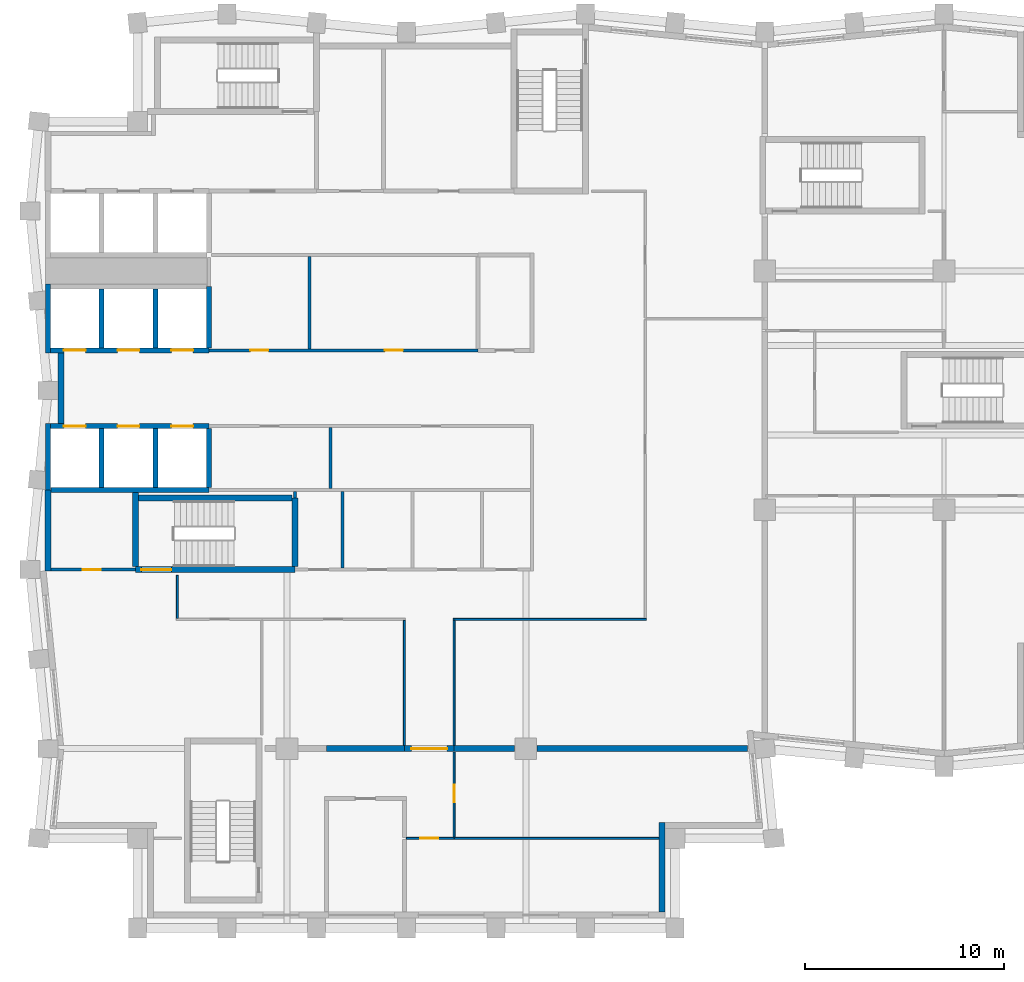
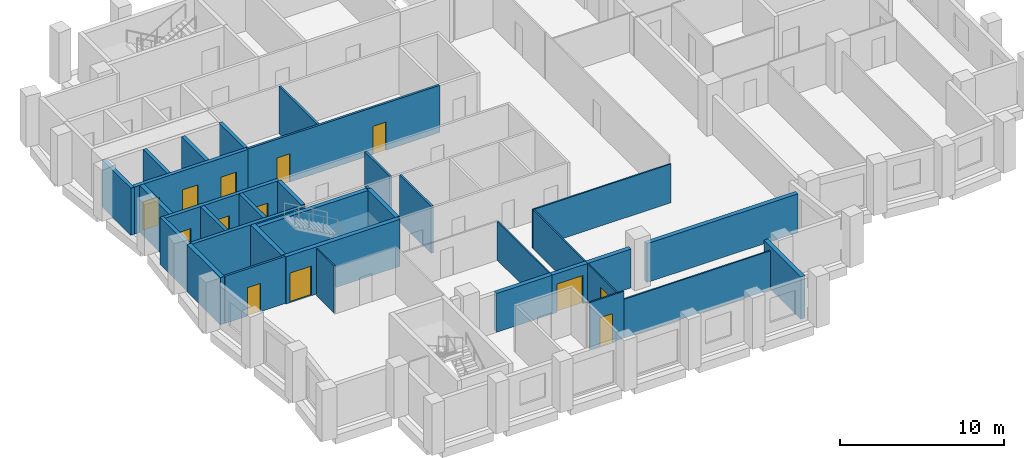
# One storey, part 3 of 8: 35 walls, 13 doors, 13 openings.
"""IFC4 building model written with IfcOpenShell, lengths in metres."""

from ifc_helpers import new_model, si_unit, direction, frame, frame_2d, origin, place, context, subcontext, project, spatial, rectangle, extrude, material, layer, layer_set, type_object, element, fill, save


model = new_model("IFC4")

# Units and contexts
model_context = context("Model", 3, precision=1e-05, world=origin(), true_north=direction((0.0, 1.0)))
body_context = subcontext(model_context, "Body", "Model", "MODEL_VIEW")
ifc_project = project(units=[si_unit("LENGTHUNIT", "METRE"), si_unit("AREAUNIT", "SQUARE_METRE"), si_unit("VOLUMEUNIT", "CUBIC_METRE"), si_unit("PLANEANGLEUNIT", "RADIAN"), si_unit("MASSUNIT", "GRAM", prefix="KILO")], contexts=[model_context])

# Site, building, storey
site_placement = place(None, origin())
site = spatial("IfcSite", under=ifc_project, at=site_placement, CompositionType="ELEMENT")
building_placement = place(site_placement, origin())
building = spatial("IfcBuilding", under=site, at=building_placement, Name="Brondeck Convention Tower", CompositionType="ELEMENT")
storey_placement = place(building_placement, frame((0.0, 0.0, 225.39990234375)))
storey = spatial("IfcBuildingStorey", under=building, at=storey_placement, Name="L55", CompositionType="ELEMENT", Elevation=225.39990234375)

# Wall
ifc_material_1 = material(Name="Concrete compartment wall C30/37", Category="concrete")
ifc_layer_1 = layer(ifc_material_1, 0.300048828125)
ifc_layer_set_1 = layer_set([ifc_layer_1], Name="Compartment wall 300")
wall_type_1 = type_object("IfcWallType", Name="Compartment wall 300", PredefinedType="PARTITIONING", material=ifc_layer_set_1)
wall_1_placement = place(storey_placement, frame((14.0, 27.0, 0.0), z_axis=(0.0, 0.0, 1.0), x_axis=(1.0, 0.0, 0.0)))
element("IfcWall", 1, at=wall_1_placement, inside=storey, type_object=wall_type_1, Name="FLR-L55-W015", PredefinedType="PARTITIONING", context=body_context, shape_type="SweptSolid", body=[
    extrude(rectangle(XDim=3.89990234375, YDim=0.300048828125, at=frame_2d((1.949951171875, 0.0))), origin(), (0.0, 0.0, 1.0), 2.880126953125),
])

# Wall, opening, door
wall_2_placement = place(storey_placement, frame((20.39990234375, 27.0, 0.0), z_axis=(0.0, 0.0, 1.0), x_axis=(-1.0, 0.0, 0.0)))
wall_2 = element("IfcWall", 2, at=wall_2_placement, inside=storey, type_object=wall_type_1, Name="FLR-L55-W016", PredefinedType="PARTITIONING", context=body_context, shape_type="SweptSolid", body=[
    extrude(rectangle(XDim=2.5, YDim=0.300048828125, at=frame_2d((1.25, 0.0))), origin(), (0.0, 0.0, 1.0), 2.880126953125),
])
opening_1_placement = place(wall_2_placement, frame((0.35009765625, 0.0, 0.0)))
opening_1 = element("IfcOpeningElement", 3, at=opening_1_placement, cuts=wall_2, Name="Opening OF-M-015", PredefinedType="OPENING", context=body_context, shape_type="SweptSolid", body=[
    extrude(rectangle(XDim=1.800048828125, YDim=2.10009765625, at=frame_2d((0.89990234375, 1.050048828125))), frame((0.0, 0.159912109375, 0.0), z_axis=(0.0, -1.0, 0.0), x_axis=(1.0, 0.0, 0.0)), (0.0, 0.0, 1.0), 0.320068359375),
])
ifc_material_2 = material(Name="Steel fire door pair", Category="steel")
door_type_1 = type_object("IfcDoorType", Name="Fire door pair 1800", OperationType="DOUBLE_DOOR_SINGLE_SWING", PredefinedType="DOOR", material=ifc_material_2)
door_1_placement = place(opening_1_placement, origin())
door_1 = element("IfcDoor", 4, at=door_1_placement, inside=storey, type_object=door_type_1, Name="Door OF-M-015", OperationType="DOUBLE_DOOR_SINGLE_SWING", OverallHeight=2.10009765625, OverallWidth=1.800048828125, PredefinedType="DOOR", context=body_context, shape_type="SweptSolid", body=[
    extrude(rectangle(XDim=1.800048828125, YDim=2.10009765625, at=frame_2d((0.89990234375, 1.050048828125))), frame((0.0, 0.02490234375, 0.0), z_axis=(0.0, -1.0, 0.0), x_axis=(1.0, 0.0, 0.0)), (0.0, 0.0, 1.0), 0.050048828125),
])
fill(opening_1, door_1)

# Walls
wall_3_placement = place(storey_placement, frame((20.39990234375, 27.0, 0.0), z_axis=(0.0, 0.0, 1.0), x_axis=(1.0, 0.0, 0.0)))
element("IfcWall", 5, at=wall_3_placement, inside=storey, type_object=wall_type_1, Name="FLR-L55-W017", PredefinedType="PARTITIONING", context=body_context, shape_type="SweptSolid", body=[
    extrude(rectangle(XDim=3.045166015625, YDim=0.300048828125, at=frame_2d((1.5224609375, 0.0))), origin(), (0.0, 0.0, 1.0), 2.880126953125),
])
wall_4_placement = place(storey_placement, frame((24.554931640625, 27.0, 0.0), z_axis=(0.0, 0.0, 1.0), x_axis=(1.0, 0.0, 0.0)))
element("IfcWall", 6, at=wall_4_placement, inside=storey, type_object=wall_type_1, Name="FLR-L55-W018", PredefinedType="PARTITIONING", context=body_context, shape_type="SweptSolid", body=[
    extrude(rectangle(XDim=10.591064453125, YDim=0.300048828125, at=frame_2d((5.29541015625, 0.0))), origin(), (0.0, 0.0, 1.0), 2.880126953125),
])
ifc_material_3 = material(Name="Concrete C50/60", Category="concrete")
ifc_layer_2 = layer(ifc_material_3, 0.300048828125)
ifc_layer_set_2 = layer_set([ifc_layer_2], Name="Core outer wall 300 Concrete C50/60")
wall_type_2 = type_object("IfcWallType", Name="Core outer wall 300 Concrete C50/60", PredefinedType="SHEAR", material=ifc_layer_set_2)
wall_5_placement = place(storey_placement, frame((0.0, 35.925048828125, 0.0), z_axis=(0.0, 0.0, 1.0), x_axis=(0.0, 1.0, 0.0)))
element("IfcWall", 7, at=wall_5_placement, inside=storey, type_object=wall_type_2, Name="L55 core wall", PredefinedType="SHEAR", context=body_context, shape_type="SweptSolid", body=[
    extrude(rectangle(XDim=4.074951171875, YDim=0.300048828125, at=frame_2d((2.03759765625, 0.0))), origin(), (0.0, 0.0, 1.0), 3.5),
])
wall_6_placement = place(storey_placement, frame((0.64990234375, 43.324951171875, 0.0), z_axis=(0.0, 0.0, 1.0), x_axis=(0.0, 1.0, 0.0)))
element("IfcWall", 8, at=wall_6_placement, inside=storey, type_object=wall_type_2, Name="L55 core wall", PredefinedType="SHEAR", context=body_context, shape_type="SweptSolid", body=[
    extrude(rectangle(XDim=3.550048828125, YDim=0.300048828125, at=frame_2d((1.77490234375, 0.0))), origin(), (0.0, 0.0, 1.0), 3.5),
])

# Wall, opening, door
ifc_material_4 = material(Name="Fire-rated gypsum board partition")
ifc_layer_3 = layer(ifc_material_4, 0.14990234375)
ifc_layer_set_3 = layer_set([ifc_layer_3], Name="Core partition 150 EI 60")
wall_type_3 = type_object("IfcWallType", Name="Core partition 150 EI 60", PredefinedType="PARTITIONING", material=ifc_layer_set_3)
wall_7_placement = place(storey_placement, frame((0.14990234375, 36.0, 0.0), z_axis=(0.0, 0.0, 1.0), x_axis=(1.0, 0.0, 0.0)))
wall_7 = element("IfcWall", 9, at=wall_7_placement, inside=storey, type_object=wall_type_3, Name="L55 core wall", PredefinedType="PARTITIONING", context=body_context, shape_type="SweptSolid", body=[
    extrude(rectangle(XDim=4.25, YDim=0.14990234375, at=frame_2d((2.125, 0.0))), origin(), (0.0, 0.0, 1.0), 3.5),
])
opening_2_placement = place(wall_7_placement, frame((1.60009765625, 0.0, 0.0)))
opening_2 = element("IfcOpeningElement", 10, at=opening_2_placement, cuts=wall_7, Name="Opening C30-07", PredefinedType="OPENING", context=body_context, shape_type="SweptSolid", body=[
    extrude(rectangle(XDim=0.89990234375, YDim=2.10009765625, at=frame_2d((0.449951171875, 1.050048828125))), frame((0.0, 0.0849609375, 0.0), z_axis=(0.0, -1.0, 0.0), x_axis=(1.0, 0.0, 0.0)), (0.0, 0.0, 1.0), 0.169921875),
])
ifc_material_5 = material(Name="Steel fire door", Category="steel")
door_type_2 = type_object("IfcDoorType", Name="Room door 900x2100 EI 60", OperationType="NOTDEFINED", PredefinedType="DOOR", material=ifc_material_5)
door_2_placement = place(opening_2_placement, origin())
door_2 = element("IfcDoor", 11, at=door_2_placement, inside=storey, type_object=door_type_2, Name="L55 Room door FRW-1", OperationType="SINGLE_SWING_LEFT", OverallHeight=2.10009765625, OverallWidth=0.89990234375, PredefinedType="DOOR", context=body_context, shape_type="SweptSolid", body=[
    extrude(rectangle(XDim=0.89990234375, YDim=2.10009765625, at=frame_2d((0.449951171875, 1.050048828125))), frame((0.0, 0.02490234375, 0.0), z_axis=(0.0, -1.0, 0.0), x_axis=(1.0, 0.0, 0.0)), (0.0, 0.0, 1.0), 0.050048828125),
])
fill(opening_2, door_2)

# Wall, openings, doors
wall_8_placement = place(storey_placement, frame((8.10009765625, 47.0, 0.0), z_axis=(0.0, 0.0, 1.0), x_axis=(1.0, 0.0, 0.0)))
wall_8 = element("IfcWall", 12, at=wall_8_placement, inside=storey, type_object=wall_type_3, Name="L55 core wall", PredefinedType="PARTITIONING", context=body_context, shape_type="SweptSolid", body=[
    extrude(rectangle(XDim=13.5, YDim=0.14990234375, at=frame_2d((6.75, 0.0))), origin(), (0.0, 0.0, 1.0), 3.5),
])
opening_3_placement = place(wall_8_placement, frame((2.074951171875, 0.0, 0.0)))
opening_3 = element("IfcOpeningElement", 13, at=opening_3_placement, cuts=wall_8, Name="Opening C30-08", PredefinedType="OPENING", context=body_context, shape_type="SweptSolid", body=[
    extrude(rectangle(XDim=0.89990234375, YDim=2.10009765625, at=frame_2d((0.449951171875, 1.050048828125))), frame((0.0, 0.0849609375, 0.0), z_axis=(0.0, -1.0, 0.0), x_axis=(1.0, 0.0, 0.0)), (0.0, 0.0, 1.0), 0.169921875),
])
opening_4_placement = place(wall_8_placement, frame((8.824951171875, 0.0, 0.0)))
opening_4 = element("IfcOpeningElement", 14, at=opening_4_placement, cuts=wall_8, Name="Opening C30-09", PredefinedType="OPENING", context=body_context, shape_type="SweptSolid", body=[
    extrude(rectangle(XDim=0.89990234375, YDim=2.10009765625, at=frame_2d((0.449951171875, 1.050048828125))), frame((0.0, 0.0849609375, 0.0), z_axis=(0.0, -1.0, 0.0), x_axis=(1.0, 0.0, 0.0)), (0.0, 0.0, 1.0), 0.169921875),
])
door_3_placement = place(opening_3_placement, origin())
door_3 = element("IfcDoor", 15, at=door_3_placement, inside=storey, type_object=door_type_2, Name="L55 Room door FZ-N-8.1-1", OperationType="SINGLE_SWING_LEFT", OverallHeight=2.10009765625, OverallWidth=0.89990234375, PredefinedType="DOOR", context=body_context, shape_type="SweptSolid", body=[
    extrude(rectangle(XDim=0.89990234375, YDim=2.10009765625, at=frame_2d((0.449951171875, 1.050048828125))), frame((0.0, 0.02490234375, 0.0), z_axis=(0.0, -1.0, 0.0), x_axis=(1.0, 0.0, 0.0)), (0.0, 0.0, 1.0), 0.050048828125),
])
fill(opening_3, door_3)
door_4_placement = place(opening_4_placement, origin())
door_4 = element("IfcDoor", 16, at=door_4_placement, inside=storey, type_object=door_type_2, Name="L55 Room door FZ-N-8.1-2", OperationType="SINGLE_SWING_RIGHT", OverallHeight=2.10009765625, OverallWidth=0.89990234375, PredefinedType="DOOR", context=body_context, shape_type="SweptSolid", body=[
    extrude(rectangle(XDim=0.89990234375, YDim=2.10009765625, at=frame_2d((0.449951171875, 1.050048828125))), frame((0.0, 0.02490234375, 0.0), z_axis=(0.0, -1.0, 0.0), x_axis=(1.0, 0.0, 0.0)), (0.0, 0.0, 1.0), 0.050048828125),
])
fill(opening_4, door_4)

# Walls
wall_9_placement = place(storey_placement, frame((12.39990234375, 39.60009765625, 0.0), z_axis=(0.0, 0.0, 1.0), x_axis=(0.0, 1.0, 0.0)))
element("IfcWall", 17, at=wall_9_placement, inside=storey, type_object=wall_type_3, Name="L55 core wall", PredefinedType="PARTITIONING", context=body_context, shape_type="SweptSolid", body=[
    extrude(rectangle(XDim=0.324951171875, YDim=0.14990234375, at=frame_2d((0.16259765625, 0.0))), origin(), (0.0, 0.0, 1.0), 3.5),
])
wall_10_placement = place(storey_placement, frame((13.14990234375, 47.074951171875, 0.0), z_axis=(0.0, 0.0, 1.0), x_axis=(0.0, 1.0, 0.0)))
element("IfcWall", 18, at=wall_10_placement, inside=storey, type_object=wall_type_3, Name="L55 core wall", PredefinedType="PARTITIONING", context=body_context, shape_type="SweptSolid", body=[
    extrude(rectangle(XDim=4.650146484375, YDim=0.14990234375, at=frame_2d((2.3251953125, 0.0))), origin(), (0.0, 0.0, 1.0), 3.5),
])
wall_11_placement = place(storey_placement, frame((14.199951171875, 40.074951171875, 0.0), z_axis=(0.0, 0.0, 1.0), x_axis=(0.0, 1.0, 0.0)))
element("IfcWall", 19, at=wall_11_placement, inside=storey, type_object=wall_type_3, Name="L55 core wall", PredefinedType="PARTITIONING", context=body_context, shape_type="SweptSolid", body=[
    extrude(rectangle(XDim=3.050048828125, YDim=0.14990234375, at=frame_2d((1.52490234375, 0.0))), origin(), (0.0, 0.0, 1.0), 3.5),
])
wall_12_placement = place(storey_placement, frame((14.800048828125, 36.074951171875, 0.0), z_axis=(0.0, 0.0, 1.0), x_axis=(0.0, 1.0, 0.0)))
element("IfcWall", 20, at=wall_12_placement, inside=storey, type_object=wall_type_3, Name="L55 core wall", PredefinedType="PARTITIONING", context=body_context, shape_type="SweptSolid", body=[
    extrude(rectangle(XDim=3.85009765625, YDim=0.14990234375, at=frame_2d((1.925048828125, 0.0))), origin(), (0.0, 0.0, 1.0), 3.5),
])
ifc_material_6 = material(Name="Precast concrete C50/60 bronze finish", Category="concrete")
ifc_layer_4 = layer(ifc_material_6, 0.070068359375, Name="Bronze precast facing")
ifc_material_7 = material(Name="Mineral wool")
ifc_layer_5 = layer(ifc_material_7, 0.159912109375, Name="Insulation")
ifc_material_8 = material(Name="Concrete C35/45", Category="concrete")
ifc_layer_6 = layer(ifc_material_8, 0.070068359375, Name="Backing")
ifc_layer_set_4 = layer_set([ifc_layer_4, ifc_layer_5, ifc_layer_6], Name="External infill wall, precast concrete C50/60 bronze facing")
wall_type_4 = type_object("IfcWallType", Name="External infill wall, precast concrete C50/60 bronze facing", PredefinedType="SOLIDWALL", material=ifc_layer_set_4)
wall_13_placement = place(storey_placement, frame((30.85009765625, 23.300048828125, 0.0), z_axis=(0.0, 0.0, 1.0), x_axis=(0.0, -1.0, 0.0)))
element("IfcWall", 21, at=wall_13_placement, inside=storey, type_object=wall_type_4, Name="ENV-EW-L55-P2-NC-SEB18-01", PredefinedType="SOLIDWALL", context=body_context, shape_type="SweptSolid", body=[
    extrude(rectangle(XDim=4.5, YDim=0.300048828125, at=frame_2d((2.25, 0.0))), origin(), (0.0, 0.0, 1.0), 3.150146484375),
])
ifc_layer_7 = layer(ifc_material_3, 0.25)
ifc_layer_set_5 = layer_set([ifc_layer_7], Name="Lift shaft wall 250 Concrete C50/60")
wall_type_5 = type_object("IfcWallType", Name="Lift shaft wall 250 Concrete C50/60", PredefinedType="SHEAR", material=ifc_layer_set_5)
wall_14_placement = place(storey_placement, frame((0.14990234375, 40.0, 0.0), z_axis=(0.0, 0.0, 1.0), x_axis=(1.0, 0.0, 0.0)))
element("IfcWall", 22, at=wall_14_placement, inside=storey, type_object=wall_type_5, Name="L55 core wall", PredefinedType="SHEAR", context=body_context, shape_type="SweptSolid", body=[
    extrude(rectangle(XDim=7.9501953125, YDim=0.25, at=frame_2d((3.97509765625, 0.0))), origin(), (0.0, 0.0, 1.0), 3.5),
])

# Wall, openings, doors
wall_15_placement = place(storey_placement, frame((0.125, 43.199951171875, 0.0), z_axis=(0.0, 0.0, 1.0), x_axis=(1.0, 0.0, 0.0)))
wall_15 = element("IfcWall", 23, at=wall_15_placement, inside=storey, type_object=wall_type_5, Name="L55 core wall", PredefinedType="SHEAR", context=body_context, shape_type="SweptSolid", body=[
    extrude(rectangle(XDim=7.97509765625, YDim=0.25, at=frame_2d((3.987548828125, 0.0))), origin(), (0.0, 0.0, 1.0), 3.5),
])
opening_5_placement = place(wall_15_placement, frame((0.675048828125, 0.0, 0.0)))
opening_5 = element("IfcOpeningElement", 24, at=opening_5_placement, cuts=wall_15, Name="Opening C30-23", PredefinedType="OPENING", context=body_context, shape_type="SweptSolid", body=[
    extrude(rectangle(XDim=1.10009765625, YDim=2.10009765625, at=frame_2d((0.550048828125, 1.050048828125))), frame((0.0, 0.135009765625, 0.0), z_axis=(0.0, -1.0, 0.0), x_axis=(1.0, 0.0, 0.0)), (0.0, 0.0, 1.0), 0.27001953125),
])
opening_6_placement = place(wall_15_placement, frame((3.375, 0.0, 0.0)))
opening_6 = element("IfcOpeningElement", 25, at=opening_6_placement, cuts=wall_15, Name="Opening C30-24", PredefinedType="OPENING", context=body_context, shape_type="SweptSolid", body=[
    extrude(rectangle(XDim=1.10009765625, YDim=2.10009765625, at=frame_2d((0.550048828125, 1.050048828125))), frame((0.0, 0.135009765625, 0.0), z_axis=(0.0, -1.0, 0.0), x_axis=(1.0, 0.0, 0.0)), (0.0, 0.0, 1.0), 0.27001953125),
])
opening_7_placement = place(wall_15_placement, frame((6.074951171875, 0.0, 0.0)))
opening_7 = element("IfcOpeningElement", 26, at=opening_7_placement, cuts=wall_15, Name="Opening C30-25", PredefinedType="OPENING", context=body_context, shape_type="SweptSolid", body=[
    extrude(rectangle(XDim=1.10009765625, YDim=2.10009765625, at=frame_2d((0.550048828125, 1.050048828125))), frame((0.0, 0.135009765625, 0.0), z_axis=(0.0, -1.0, 0.0), x_axis=(1.0, 0.0, 0.0)), (0.0, 0.0, 1.0), 0.27001953125),
])
ifc_material_9 = material(Name="Stainless steel lift door", Category="steel")
door_type_3 = type_object("IfcDoorType", Name="Lift landing door 1100x2100 EI 180", OperationType="DOUBLE_DOOR_SLIDING", PredefinedType="DOOR", material=ifc_material_9)
door_5_placement = place(opening_5_placement, origin())
door_5 = element("IfcDoor", 27, at=door_5_placement, inside=storey, type_object=door_type_3, Name="L55 Lift landing door HR1", OperationType="DOUBLE_DOOR_SLIDING", OverallHeight=2.10009765625, OverallWidth=1.10009765625, PredefinedType="DOOR", context=body_context, shape_type="SweptSolid", body=[
    extrude(rectangle(XDim=1.10009765625, YDim=2.10009765625, at=frame_2d((0.550048828125, 1.050048828125))), frame((0.0, 0.02490234375, 0.0), z_axis=(0.0, -1.0, 0.0), x_axis=(1.0, 0.0, 0.0)), (0.0, 0.0, 1.0), 0.050048828125),
])
fill(opening_5, door_5)
door_6_placement = place(opening_6_placement, origin())
door_6 = element("IfcDoor", 28, at=door_6_placement, inside=storey, type_object=door_type_3, Name="L55 Lift landing door HR2", OperationType="DOUBLE_DOOR_SLIDING", OverallHeight=2.10009765625, OverallWidth=1.10009765625, PredefinedType="DOOR", context=body_context, shape_type="SweptSolid", body=[
    extrude(rectangle(XDim=1.10009765625, YDim=2.10009765625, at=frame_2d((0.550048828125, 1.050048828125))), frame((0.0, 0.02490234375, 0.0), z_axis=(0.0, -1.0, 0.0), x_axis=(1.0, 0.0, 0.0)), (0.0, 0.0, 1.0), 0.050048828125),
])
fill(opening_6, door_6)
door_7_placement = place(opening_7_placement, origin())
door_7 = element("IfcDoor", 29, at=door_7_placement, inside=storey, type_object=door_type_3, Name="L55 Lift landing door HR3", OperationType="DOUBLE_DOOR_SLIDING", OverallHeight=2.10009765625, OverallWidth=1.10009765625, PredefinedType="DOOR", context=body_context, shape_type="SweptSolid", body=[
    extrude(rectangle(XDim=1.10009765625, YDim=2.10009765625, at=frame_2d((0.550048828125, 1.050048828125))), frame((0.0, 0.02490234375, 0.0), z_axis=(0.0, -1.0, 0.0), x_axis=(1.0, 0.0, 0.0)), (0.0, 0.0, 1.0), 0.050048828125),
])
fill(opening_7, door_7)

wall_16_placement = place(storey_placement, frame((0.125, 47.0, 0.0), z_axis=(0.0, 0.0, 1.0), x_axis=(1.0, 0.0, 0.0)))
wall_16 = element("IfcWall", 30, at=wall_16_placement, inside=storey, type_object=wall_type_5, Name="L55 core wall", PredefinedType="SHEAR", context=body_context, shape_type="SweptSolid", body=[
    extrude(rectangle(XDim=7.97509765625, YDim=0.25, at=frame_2d((3.987548828125, 0.0))), origin(), (0.0, 0.0, 1.0), 3.5),
])
opening_8_placement = place(wall_16_placement, frame((0.675048828125, 0.0, 0.0)))
opening_8 = element("IfcOpeningElement", 31, at=opening_8_placement, cuts=wall_16, Name="Opening C30-26", PredefinedType="OPENING", context=body_context, shape_type="SweptSolid", body=[
    extrude(rectangle(XDim=1.10009765625, YDim=2.10009765625, at=frame_2d((0.550048828125, 1.050048828125))), frame((0.0, 0.135009765625, 0.0), z_axis=(0.0, -1.0, 0.0), x_axis=(1.0, 0.0, 0.0)), (0.0, 0.0, 1.0), 0.27001953125),
])
opening_9_placement = place(wall_16_placement, frame((3.375, 0.0, 0.0)))
opening_9 = element("IfcOpeningElement", 32, at=opening_9_placement, cuts=wall_16, Name="Opening C30-27", PredefinedType="OPENING", context=body_context, shape_type="SweptSolid", body=[
    extrude(rectangle(XDim=1.10009765625, YDim=2.10009765625, at=frame_2d((0.550048828125, 1.050048828125))), frame((0.0, 0.135009765625, 0.0), z_axis=(0.0, -1.0, 0.0), x_axis=(1.0, 0.0, 0.0)), (0.0, 0.0, 1.0), 0.27001953125),
])
opening_10_placement = place(wall_16_placement, frame((6.074951171875, 0.0, 0.0)))
opening_10 = element("IfcOpeningElement", 33, at=opening_10_placement, cuts=wall_16, Name="Opening C30-28", PredefinedType="OPENING", context=body_context, shape_type="SweptSolid", body=[
    extrude(rectangle(XDim=1.10009765625, YDim=2.10009765625, at=frame_2d((0.550048828125, 1.050048828125))), frame((0.0, 0.135009765625, 0.0), z_axis=(0.0, -1.0, 0.0), x_axis=(1.0, 0.0, 0.0)), (0.0, 0.0, 1.0), 0.27001953125),
])
door_8_placement = place(opening_8_placement, origin())
door_8 = element("IfcDoor", 34, at=door_8_placement, inside=storey, type_object=door_type_3, Name="L55 Lift landing door HR4", OperationType="DOUBLE_DOOR_SLIDING", OverallHeight=2.10009765625, OverallWidth=1.10009765625, PredefinedType="DOOR", context=body_context, shape_type="SweptSolid", body=[
    extrude(rectangle(XDim=1.10009765625, YDim=2.10009765625, at=frame_2d((0.550048828125, 1.050048828125))), frame((0.0, 0.02490234375, 0.0), z_axis=(0.0, -1.0, 0.0), x_axis=(1.0, 0.0, 0.0)), (0.0, 0.0, 1.0), 0.050048828125),
])
fill(opening_8, door_8)
door_9_placement = place(opening_9_placement, origin())
door_9 = element("IfcDoor", 35, at=door_9_placement, inside=storey, type_object=door_type_3, Name="L55 Lift landing door HR5", OperationType="DOUBLE_DOOR_SLIDING", OverallHeight=2.10009765625, OverallWidth=1.10009765625, PredefinedType="DOOR", context=body_context, shape_type="SweptSolid", body=[
    extrude(rectangle(XDim=1.10009765625, YDim=2.10009765625, at=frame_2d((0.550048828125, 1.050048828125))), frame((0.0, 0.02490234375, 0.0), z_axis=(0.0, -1.0, 0.0), x_axis=(1.0, 0.0, 0.0)), (0.0, 0.0, 1.0), 0.050048828125),
])
fill(opening_9, door_9)
door_10_placement = place(opening_10_placement, origin())
door_10 = element("IfcDoor", 36, at=door_10_placement, inside=storey, type_object=door_type_3, Name="L55 Lift landing door HR6", OperationType="DOUBLE_DOOR_SLIDING", OverallHeight=2.10009765625, OverallWidth=1.10009765625, PredefinedType="DOOR", context=body_context, shape_type="SweptSolid", body=[
    extrude(rectangle(XDim=1.10009765625, YDim=2.10009765625, at=frame_2d((0.550048828125, 1.050048828125))), frame((0.0, 0.02490234375, 0.0), z_axis=(0.0, -1.0, 0.0), x_axis=(1.0, 0.0, 0.0)), (0.0, 0.0, 1.0), 0.050048828125),
])
fill(opening_10, door_10)

# Walls
wall_17_placement = place(storey_placement, frame((0.0, 40.0, 0.0), z_axis=(0.0, 0.0, 1.0), x_axis=(0.0, 1.0, 0.0)))
element("IfcWall", 37, at=wall_17_placement, inside=storey, type_object=wall_type_5, Name="L55 core wall", PredefinedType="SHEAR", context=body_context, shape_type="SweptSolid", body=[
    extrude(rectangle(XDim=3.324951171875, YDim=0.25, at=frame_2d((1.66259765625, 0.0))), origin(), (0.0, 0.0, 1.0), 3.5),
])
wall_18_placement = place(storey_placement, frame((0.0, 46.875, 0.0), z_axis=(0.0, 0.0, 1.0), x_axis=(0.0, 1.0, 0.0)))
element("IfcWall", 38, at=wall_18_placement, inside=storey, type_object=wall_type_5, Name="L55 core wall", PredefinedType="SHEAR", context=body_context, shape_type="SweptSolid", body=[
    extrude(rectangle(XDim=3.47509765625, YDim=0.25, at=frame_2d((1.737548828125, 0.0))), origin(), (0.0, 0.0, 1.0), 3.5),
])
for number, where, z_axis, x_axis, name in (
    (39, (2.699951171875, 40.125, 0.0), (0.0, 0.0, 1.0), (0.0, 1.0, 0.0), "L55 core wall"),
    (40, (2.699951171875, 47.125, 0.0), (0.0, 0.0, 1.0), (0.0, 1.0, 0.0), "L55 core wall"),
    (41, (5.39990234375, 40.125, 0.0), (0.0, 0.0, 1.0), (0.0, 1.0, 0.0), "L55 core wall"),
    (42, (5.39990234375, 47.125, 0.0), (0.0, 0.0, 1.0), (0.0, 1.0, 0.0), "L55 core wall"),
    (43, (8.10009765625, 40.125, 0.0), (0.0, 0.0, 1.0), (0.0, 1.0, 0.0), "L55 core wall"),
):
    element("IfcWall", number, at=place(storey_placement, frame(where, z_axis=z_axis, x_axis=x_axis)), inside=storey, type_object=wall_type_5, Name=name, PredefinedType="SHEAR", context=body_context, shape_type="SweptSolid", body=[
        extrude(rectangle(XDim=2.949951171875, YDim=0.25, at=frame_2d((1.47509765625, 0.0))), origin(), (0.0, 0.0, 1.0), 3.5),
    ])
wall_19_placement = place(storey_placement, frame((8.10009765625, 47.125, 0.0), z_axis=(0.0, 0.0, 1.0), x_axis=(0.0, 1.0, 0.0)))
element("IfcWall", 44, at=wall_19_placement, inside=storey, type_object=wall_type_5, Name="L55 core wall", PredefinedType="SHEAR", context=body_context, shape_type="SweptSolid", body=[
    extrude(rectangle(XDim=3.074951171875, YDim=0.25, at=frame_2d((1.53759765625, 0.0))), origin(), (0.0, 0.0, 1.0), 3.5),
])

# Wall, opening, door
ifc_material_10 = material(Name="Gypsum board partition on steel studs", Category="steel")
ifc_layer_8 = layer(ifc_material_10, 0.10009765625)
ifc_layer_set_6 = layer_set([ifc_layer_8], Name="Room partition 100")
wall_type_6 = type_object("IfcWallType", Name="Room partition 100", PredefinedType="PARTITIONING", material=ifc_layer_set_6)
wall_20_placement = place(storey_placement, frame((20.39990234375, 22.5, 0.0), z_axis=(0.0, 0.0, 1.0), x_axis=(-1.0, 0.0, 0.0)))
wall_20 = element("IfcWall", 45, at=wall_20_placement, inside=storey, type_object=wall_type_6, Name="FLR-L55-W003", PredefinedType="PARTITIONING", context=body_context, shape_type="SweptSolid", body=[
    extrude(rectangle(XDim=2.39990234375, YDim=0.10009765625, at=frame_2d((1.199951171875, 0.0))), origin(), (0.0, 0.0, 1.0), 3.47998046875),
])
opening_11_placement = place(wall_20_placement, frame((0.800048828125, 0.0, 0.0)))
opening_11 = element("IfcOpeningElement", 46, at=opening_11_placement, cuts=wall_20, Name="Opening OF-M-009", PredefinedType="OPENING", context=body_context, shape_type="SweptSolid", body=[
    extrude(rectangle(XDim=0.89990234375, YDim=2.10009765625, at=frame_2d((0.449951171875, 1.050048828125))), frame((0.0, 0.06005859375, 0.0), z_axis=(0.0, -1.0, 0.0), x_axis=(1.0, 0.0, 0.0)), (0.0, 0.0, 1.0), 0.1201171875),
])
ifc_material_11 = material(Name="Solid timber door leaf", Category="wood")
door_type_4 = type_object("IfcDoorType", Name="Single door 900", OperationType="NOTDEFINED", PredefinedType="DOOR", material=ifc_material_11)
door_11_placement = place(opening_11_placement, origin())
door_11 = element("IfcDoor", 47, at=door_11_placement, inside=storey, type_object=door_type_4, Name="Door OF-M-009", OperationType="SINGLE_SWING_LEFT", OverallHeight=2.10009765625, OverallWidth=0.89990234375, PredefinedType="DOOR", context=body_context, shape_type="SweptSolid", body=[
    extrude(rectangle(XDim=0.89990234375, YDim=2.10009765625, at=frame_2d((0.449951171875, 1.050048828125))), frame((0.0, 0.02490234375, 0.0), z_axis=(0.0, -1.0, 0.0), x_axis=(1.0, 0.0, 0.0)), (0.0, 0.0, 1.0), 0.050048828125),
])
fill(opening_11, door_11)

# Wall
wall_21_placement = place(storey_placement, frame((20.39990234375, 22.5, 0.0), z_axis=(0.0, 0.0, 1.0), x_axis=(1.0, 0.0, 0.0)))
element("IfcWall", 48, at=wall_21_placement, inside=storey, type_object=wall_type_6, Name="FLR-L55-W004", PredefinedType="PARTITIONING", context=body_context, shape_type="SweptSolid", body=[
    extrude(rectangle(XDim=10.280029296875, YDim=0.10009765625, at=frame_2d((5.14013671875, 0.0))), origin(), (0.0, 0.0, 1.0), 2.880126953125),
])

# Wall, opening, door
wall_22_placement = place(storey_placement, frame((20.39990234375, 26.830078125, 0.0), z_axis=(0.0, 0.0, 1.0), x_axis=(0.0, -1.0, 0.0)))
wall_22 = element("IfcWall", 49, at=wall_22_placement, inside=storey, type_object=wall_type_6, Name="FLR-L55-W011", PredefinedType="PARTITIONING", context=body_context, shape_type="SweptSolid", body=[
    extrude(rectangle(XDim=4.280029296875, YDim=0.10009765625, at=frame_2d((2.14013671875, 0.0))), origin(), (0.0, 0.0, 1.0), 2.880126953125),
])
opening_12_placement = place(wall_22_placement, frame((1.6298828125, 0.0, 0.0)))
opening_12 = element("IfcOpeningElement", 50, at=opening_12_placement, cuts=wall_22, Name="Opening OF-M-010", PredefinedType="OPENING", context=body_context, shape_type="SweptSolid", body=[
    extrude(rectangle(XDim=0.89990234375, YDim=2.10009765625, at=frame_2d((0.449951171875, 1.050048828125))), frame((0.0, 0.06005859375, 0.0), z_axis=(0.0, -1.0, 0.0), x_axis=(1.0, 0.0, 0.0)), (0.0, 0.0, 1.0), 0.1201171875),
])
door_12_placement = place(opening_12_placement, origin())
door_12 = element("IfcDoor", 51, at=door_12_placement, inside=storey, type_object=door_type_4, Name="Door OF-M-010", OperationType="SINGLE_SWING_LEFT", OverallHeight=2.10009765625, OverallWidth=0.89990234375, PredefinedType="DOOR", context=body_context, shape_type="SweptSolid", body=[
    extrude(rectangle(XDim=0.89990234375, YDim=2.10009765625, at=frame_2d((0.449951171875, 1.050048828125))), frame((0.0, 0.02490234375, 0.0), z_axis=(0.0, -1.0, 0.0), x_axis=(1.0, 0.0, 0.0)), (0.0, 0.0, 1.0), 0.050048828125),
])
fill(opening_12, door_12)

# Walls
for number, where, z_axis, x_axis, name in (
    (52, (17.89990234375, 27.169921875, 0.0), (0.0, 0.0, 1.0), (0.0, 1.0, 0.0), "FLR-L55-W019"),
    (53, (20.39990234375, 33.449951171875, 0.0), (0.0, 0.0, 1.0), (0.0, -1.0, 0.0), "FLR-L55-W025"),
):
    element("IfcWall", number, at=place(storey_placement, frame(where, z_axis=z_axis, x_axis=x_axis)), inside=storey, type_object=wall_type_6, Name=name, PredefinedType="PARTITIONING", context=body_context, shape_type="SweptSolid", body=[
        extrude(rectangle(XDim=6.280029296875, YDim=0.10009765625, at=frame_2d((3.14013671875, 0.0))), origin(), (0.0, 0.0, 1.0), 2.880126953125),
    ])
wall_23_placement = place(storey_placement, frame((30.050048828125, 33.5, 0.0), z_axis=(0.0, 0.0, 1.0), x_axis=(-1.0, 0.0, 0.0)))
element("IfcWall", 54, at=wall_23_placement, inside=storey, type_object=wall_type_6, Name="FLR-L55-W028", PredefinedType="PARTITIONING", context=body_context, shape_type="SweptSolid", body=[
    extrude(rectangle(XDim=9.699951171875, YDim=0.10009765625, at=frame_2d((4.85009765625, 0.0))), origin(), (0.0, 0.0, 1.0), 2.880126953125),
])
wall_24_placement = place(storey_placement, frame((6.5, 33.550048828125, 0.0), z_axis=(0.0, 0.0, 1.0), x_axis=(0.0, 1.0, 0.0)))
element("IfcWall", 55, at=wall_24_placement, inside=storey, type_object=wall_type_6, Name="FLR-L55-W029", PredefinedType="PARTITIONING", context=body_context, shape_type="SweptSolid", body=[
    extrude(rectangle(XDim=2.14990234375, YDim=0.10009765625, at=frame_2d((1.074951171875, 0.0))), origin(), (0.0, 0.0, 1.0), 3.47998046875),
])

# Wall, opening, door
ifc_layer_9 = layer(ifc_material_3, 0.300048828125)
ifc_layer_set_7 = layer_set([ifc_layer_9], Name="Stair enclosure wall 300 Concrete C50/60")
wall_type_7 = type_object("IfcWallType", Name="Stair enclosure wall 300 Concrete C50/60", PredefinedType="SHEAR", material=ifc_layer_set_7)
wall_25_placement = place(storey_placement, frame((4.39990234375, 36.0, 0.0), z_axis=(0.0, 0.0, 1.0), x_axis=(1.0, 0.0, 0.0)))
wall_25 = element("IfcWall", 56, at=wall_25_placement, inside=storey, type_object=wall_type_7, Name="L55 core wall", PredefinedType="SHEAR", context=body_context, shape_type="SweptSolid", body=[
    extrude(rectangle(XDim=8.0, YDim=0.300048828125, at=frame_2d((4.0, 0.0))), origin(), (0.0, 0.0, 1.0), 3.5),
])
opening_13_placement = place(wall_25_placement, frame((0.300048828125, 0.0, 0.0)))
opening_13 = element("IfcOpeningElement", 57, at=opening_13_placement, cuts=wall_25, Name="Opening C30-14", PredefinedType="OPENING", context=body_context, shape_type="SweptSolid", body=[
    extrude(rectangle(XDim=1.5, YDim=2.199951171875, at=frame_2d((0.75, 1.10009765625))), frame((0.0, 0.159912109375, 0.0), z_axis=(0.0, -1.0, 0.0), x_axis=(1.0, 0.0, 0.0)), (0.0, 0.0, 1.0), 0.320068359375),
])
door_type_5 = type_object("IfcDoorType", Name="Stair door 1500x2200 EI 90", OperationType="NOTDEFINED", PredefinedType="DOOR", material=ifc_material_5)
door_13_placement = place(opening_13_placement, origin())
door_13 = element("IfcDoor", 58, at=door_13_placement, inside=storey, type_object=door_type_5, Name="L55 Stair door ST-1", OperationType="SINGLE_SWING_RIGHT", OverallHeight=2.199951171875, OverallWidth=1.5, PredefinedType="DOOR", context=body_context, shape_type="SweptSolid", body=[
    extrude(rectangle(XDim=1.5, YDim=2.199951171875, at=frame_2d((0.75, 1.10009765625))), frame((0.0, 0.02490234375, 0.0), z_axis=(0.0, -1.0, 0.0), x_axis=(1.0, 0.0, 0.0)), (0.0, 0.0, 1.0), 0.050048828125),
])
fill(opening_13, door_13)

# Walls
wall_26_placement = place(storey_placement, frame((4.550048828125, 39.60009765625, 0.0), z_axis=(0.0, 0.0, 1.0), x_axis=(1.0, 0.0, 0.0)))
element("IfcWall", 59, at=wall_26_placement, inside=storey, type_object=wall_type_7, Name="L55 core wall", PredefinedType="SHEAR", context=body_context, shape_type="SweptSolid", body=[
    extrude(rectangle(XDim=7.699951171875, YDim=0.300048828125, at=frame_2d((3.85009765625, 0.0))), origin(), (0.0, 0.0, 1.0), 3.5),
])
wall_27_placement = place(storey_placement, frame((4.39990234375, 36.14990234375, 0.0), z_axis=(0.0, 0.0, 1.0), x_axis=(0.0, 1.0, 0.0)))
element("IfcWall", 60, at=wall_27_placement, inside=storey, type_object=wall_type_7, Name="L55 core wall", PredefinedType="SHEAR", context=body_context, shape_type="SweptSolid", body=[
    extrude(rectangle(XDim=3.72509765625, YDim=0.300048828125, at=frame_2d((1.862548828125, 0.0))), origin(), (0.0, 0.0, 1.0), 3.5),
])
wall_28_placement = place(storey_placement, frame((12.39990234375, 36.14990234375, 0.0), z_axis=(0.0, 0.0, 1.0), x_axis=(0.0, 1.0, 0.0)))
element("IfcWall", 61, at=wall_28_placement, inside=storey, type_object=wall_type_7, Name="L55 core wall", PredefinedType="SHEAR", context=body_context, shape_type="SweptSolid", body=[
    extrude(rectangle(XDim=3.4501953125, YDim=0.300048828125, at=frame_2d((1.72509765625, 0.0))), origin(), (0.0, 0.0, 1.0), 3.5),
])

save(model, "model.ifc")
